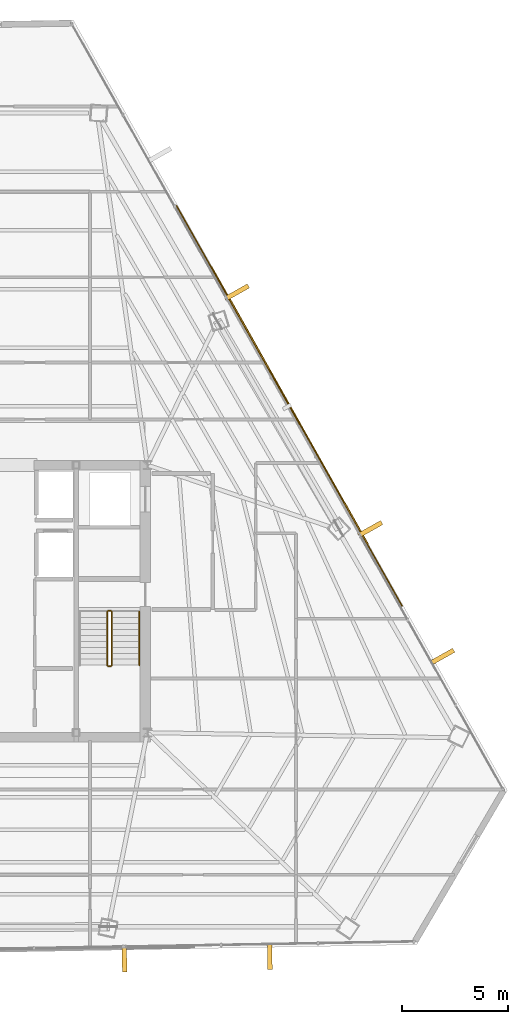
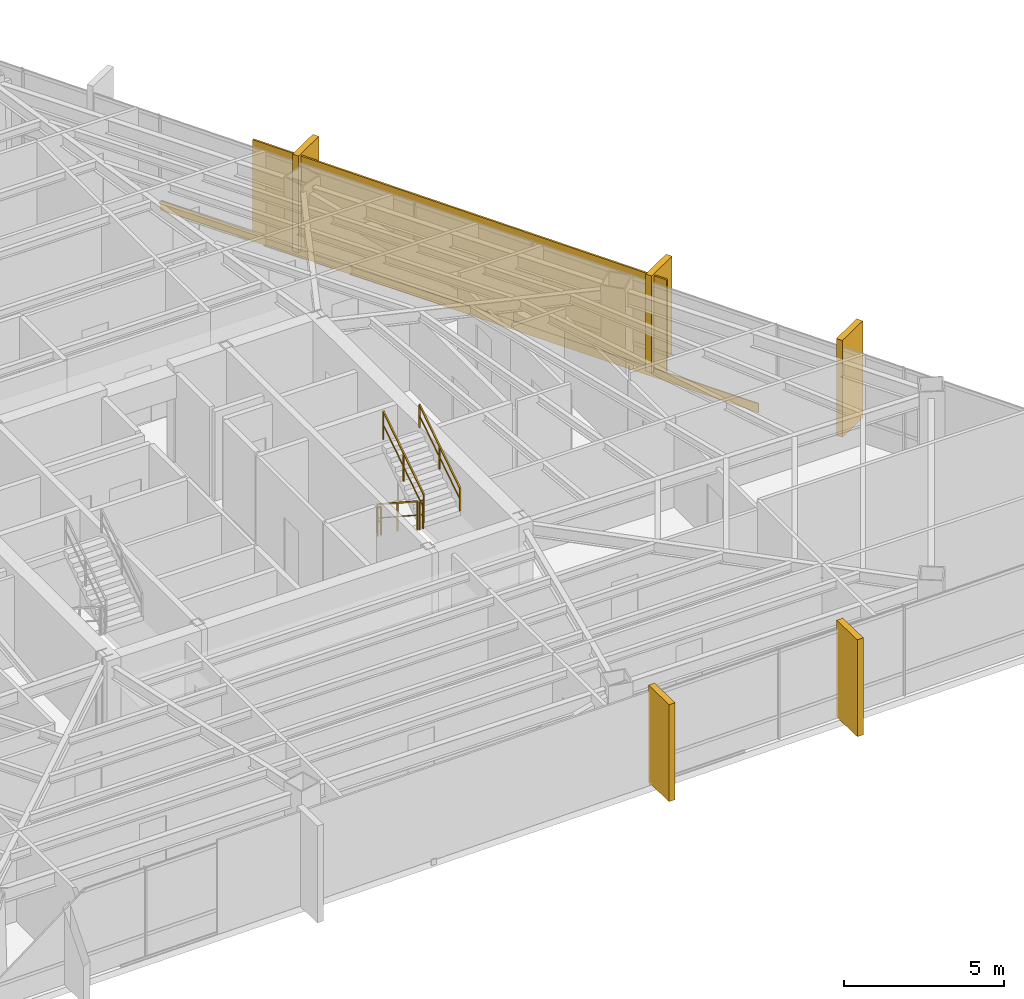
# One storey, part 43 of 44: 6 coverings, 5 railings, 1 shading device.
"""IFC4 building model written with IfcOpenShell, lengths in metres."""

from ifc_helpers import new_model, si_unit, direction, frame, origin, origin_2d, place, context, subcontext, project, spatial, rectangle, extrude, source, transform, mapped, material, layer, layer_set, type_object, type_shapes, element, save


model = new_model("IFC4")

# Units and contexts
model_context = context("Model", 3, precision=1e-05, world=origin(), true_north=direction((0.0, 1.0)))
body_context = subcontext(model_context, "Body", "Model", "MODEL_VIEW")
ifc_project = project(units=[si_unit("LENGTHUNIT", "METRE"), si_unit("AREAUNIT", "SQUARE_METRE"), si_unit("VOLUMEUNIT", "CUBIC_METRE"), si_unit("PLANEANGLEUNIT", "RADIAN"), si_unit("MASSUNIT", "GRAM", prefix="KILO")], contexts=[model_context])

# Site, building, storey
site_placement = place(None, origin())
site = spatial("IfcSite", under=ifc_project, at=site_placement, CompositionType="ELEMENT")
building_placement = place(site_placement, origin())
building = spatial("IfcBuilding", under=site, at=building_placement, Name="Caelisora Broadcast Tower", CompositionType="ELEMENT")
storey_placement = place(building_placement, frame((0.0, 0.0, 198.64990234375)))
storey = spatial("IfcBuildingStorey", under=building, at=storey_placement, Name="L52", CompositionType="ELEMENT", Elevation=198.64990234375)

# Railings
ifc_material_1 = material(Name="Galvanised Steel Safety Guardrail", Category="steel")
ifc_layer_1 = layer(ifc_material_1, 0.048095703125, Name="Galvanised Steel Safety Guardrail")
ifc_layer_set_1 = layer_set([ifc_layer_1], Name="Galvanised Steel Safety Guardrail")
railing_type_1 = type_object("IfcRailingType", Name="GR-1", PredefinedType="GUARDRAIL", material=ifc_layer_set_1)
railing_1_placement = place(storey_placement, frame((43.610107421875, 23.10009765625, 0.1826171875)))
element("IfcRailing", 1, at=railing_1_placement, inside=storey, type_object=railing_type_1, Name="L52 ST-2 stair guard 1", PredefinedType="GUARDRAIL", context=body_context, shape_type="SweptSolid", body=[
    extrude(rectangle(XDim=0.048095703125, YDim=0.048095703125, at=origin_2d()), frame((0.0, 0.0, 1.076171875), z_axis=(0.0, -0.837749427056, 0.546054848405), x_axis=(1.0, 0.0, 0.0)), (0.0, 0.0, 1.0), 3.008056640625),
    extrude(rectangle(XDim=0.03125, YDim=0.03125, at=origin_2d()), frame((0.0, 0.0, 0.550048828125), z_axis=(0.0, -0.837749427056, 0.546054848405), x_axis=(1.0, 0.0, 0.0)), (0.0, 0.0, 1.0), 3.008056640625),
    extrude(rectangle(XDim=0.0419921875, YDim=0.0419921875, at=origin_2d()), origin(), (0.0, 0.0, 1.0), 1.052001953125),
    extrude(rectangle(XDim=0.0419921875, YDim=0.0419921875, at=origin_2d()), frame((0.0, -1.260009765625, 0.8212890625)), (0.0, 0.0, 1.0), 1.052001953125),
    extrude(rectangle(XDim=0.0419921875, YDim=0.0419921875, at=origin_2d()), frame((0.0, -2.52001953125, 1.642578125)), (0.0, 0.0, 1.0), 1.052001953125),
])
railing_2_placement = place(storey_placement, frame((43.659912109375, 20.530029296875, 1.8251953125)))
element("IfcRailing", 2, at=railing_2_placement, inside=storey, type_object=railing_type_1, Name="L52 ST-2 stair guard 2", PredefinedType="GUARDRAIL", context=body_context, shape_type="SweptSolid", body=[
    extrude(rectangle(XDim=0.048095703125, YDim=0.048095703125, at=origin_2d()), frame((0.0, 0.0, 1.076171875), z_axis=(1.0, 0.0, 0.0), x_axis=(0.0, 1.0, 0.0)), (0.0, 0.0, 1.0), 0.1201171875),
    extrude(rectangle(XDim=0.03125, YDim=0.03125, at=origin_2d()), frame((0.0, 0.0, 0.550048828125), z_axis=(1.0, 0.0, 0.0), x_axis=(0.0, 1.0, 0.0)), (0.0, 0.0, 1.0), 0.1201171875),
    extrude(rectangle(XDim=0.0419921875, YDim=0.0419921875, at=origin_2d()), origin(), (0.0, 0.0, 1.0), 1.052001953125),
    extrude(rectangle(XDim=0.0419921875, YDim=0.0419921875, at=origin_2d()), frame((0.1201171875, 0.0, 0.0)), (0.0, 0.0, 1.0), 1.052001953125),
])
railing_3_placement = place(storey_placement, frame((43.830078125, 20.580078125, 2.007568359375)))
element("IfcRailing", 3, at=railing_3_placement, inside=storey, type_object=railing_type_1, Name="L52 ST-2 stair guard 3", PredefinedType="GUARDRAIL", context=body_context, shape_type="SweptSolid", body=[
    extrude(rectangle(XDim=0.048095703125, YDim=0.048095703125, at=origin_2d()), frame((0.0, 0.0, 1.076171875), z_axis=(0.0, 0.837749427056, 0.546054848405), x_axis=(-1.0, 0.0, 0.0)), (0.0, 0.0, 1.0), 3.008056640625),
    extrude(rectangle(XDim=0.03125, YDim=0.03125, at=origin_2d()), frame((0.0, 0.0, 0.550048828125), z_axis=(0.0, 0.837749427056, 0.546054848405), x_axis=(-1.0, 0.0, 0.0)), (0.0, 0.0, 1.0), 3.008056640625),
    extrude(rectangle(XDim=0.0419921875, YDim=0.0419921875, at=origin_2d()), origin(), (0.0, 0.0, 1.0), 1.052001953125),
    extrude(rectangle(XDim=0.0419921875, YDim=0.0419921875, at=origin_2d()), frame((0.0, 1.260009765625, 0.8212890625)), (0.0, 0.0, 1.0), 1.052001953125),
    extrude(rectangle(XDim=0.0419921875, YDim=0.0419921875, at=origin_2d()), frame((0.0, 2.52001953125, 1.642578125)), (0.0, 0.0, 1.0), 1.052001953125),
])
railing_4_placement = place(storey_placement, frame((43.659912109375, 23.14990234375, 0.0)))
element("IfcRailing", 4, at=railing_4_placement, inside=storey, type_object=railing_type_1, Name="L52 ST-2 stair guard 4", PredefinedType="GUARDRAIL", context=body_context, shape_type="SweptSolid", body=[
    extrude(rectangle(XDim=0.048095703125, YDim=0.048095703125, at=origin_2d()), frame((0.0, 0.0, 1.076171875), z_axis=(1.0, 0.0, 0.0), x_axis=(0.0, 1.0, 0.0)), (0.0, 0.0, 1.0), 0.1201171875),
    extrude(rectangle(XDim=0.03125, YDim=0.03125, at=origin_2d()), frame((0.0, 0.0, 0.550048828125), z_axis=(1.0, 0.0, 0.0), x_axis=(0.0, 1.0, 0.0)), (0.0, 0.0, 1.0), 0.1201171875),
    extrude(rectangle(XDim=0.0419921875, YDim=0.0419921875, at=origin_2d()), origin(), (0.0, 0.0, 1.0), 1.052001953125),
    extrude(rectangle(XDim=0.0419921875, YDim=0.0419921875, at=origin_2d()), frame((0.1201171875, 0.0, 0.0)), (0.0, 0.0, 1.0), 1.052001953125),
])
ifc_material_2 = material(Name="Stainless Steel Grade 316 Tubular Handrail", Category="steel")
ifc_layer_2 = layer(ifc_material_2, 0.048095703125, Name="Stainless Steel Grade 316 Tubular Handrail")
ifc_layer_set_2 = layer_set([ifc_layer_2], Name="Stainless Steel Grade 316 Tubular Handrail")
railing_type_2 = type_object("IfcRailingType", Name="HR-1", PredefinedType="HANDRAIL", material=ifc_layer_set_2)
railing_5_placement = place(storey_placement, frame((45.1298828125, 20.580078125, 2.007568359375)))
element("IfcRailing", 5, at=railing_5_placement, inside=storey, type_object=railing_type_2, Name="L52 ST-2 stair handrail 2", PredefinedType="HANDRAIL", context=body_context, shape_type="SweptSolid", body=[
    extrude(rectangle(XDim=0.048095703125, YDim=0.048095703125, at=origin_2d()), frame((0.0, 0.0, 0.8759765625), z_axis=(0.0, 0.837749427056, 0.546054848405), x_axis=(-1.0, 0.0, 0.0)), (0.0, 0.0, 1.0), 3.008056640625),
    extrude(rectangle(XDim=0.03125, YDim=0.03125, at=origin_2d()), frame((0.0, 0.0, 0.449951171875), z_axis=(0.0, 0.837749427056, 0.546054848405), x_axis=(-1.0, 0.0, 0.0)), (0.0, 0.0, 1.0), 3.008056640625),
    extrude(rectangle(XDim=0.0419921875, YDim=0.0419921875, at=origin_2d()), origin(), (0.0, 0.0, 1.0), 0.851806640625),
    extrude(rectangle(XDim=0.0419921875, YDim=0.0419921875, at=origin_2d()), frame((0.0, 1.260009765625, 0.8212890625)), (0.0, 0.0, 1.0), 0.851806640625),
    extrude(rectangle(XDim=0.0419921875, YDim=0.0419921875, at=origin_2d()), frame((0.0, 2.52001953125, 1.642578125)), (0.0, 0.0, 1.0), 0.851806640625),
])

# Coverings
ifc_material_3 = material(Name="Kiln-Fired Terracotta Spandrel Rainscreen Cladding", Category="ceramic")
ifc_layer_3 = layer(ifc_material_3, 0.044921875, Name="Kiln-Fired Terracotta Spandrel Rainscreen Cladding")
ifc_layer_set_3 = layer_set([ifc_layer_3], Name="Kiln-Fired Terracotta Spandrel Rainscreen Cladding")
covering_type = type_object("IfcCoveringType", Name="CL-1", PredefinedType="CLADDING", material=ifc_layer_set_3)
shared_shape_1 = source(origin(), body_context, "Body", "SweptSolid", [
    extrude(rectangle(XDim=0.219970703125, YDim=1.25, at=origin_2d()), origin(), (0.0, 0.0, 1.0), 3.68994140625),
])
for number, where, z_axis, x_axis, name in (
    (6, (49.71337890625, 38.130615234375, -0.019775390625), (0.0, 0.0, 1.0), (0.490903753615, -0.87121381112, 0.0), "L52 vertical solar fin cladding #1-2"),
    (7, (55.992919921875, 26.98828125, -0.019775390625), (0.0, 0.0, 1.0), (0.490903753615, -0.87121381112, 0.0), "L52 vertical solar fin cladding #1-3"),
    (8, (59.38134765625, 20.9755859375, -0.019775390625), (0.0, 0.0, 1.0), (0.490903753615, -0.87121381112, 0.0), "L52 vertical solar fin cladding #1-4"),
    (9, (51.264404296875, 6.88232421875, -0.019775390625), (0.0, 0.0, 1.0), (-0.999841542203, -0.017801418053, 0.0), "L52 vertical solar fin cladding #2-1"),
    (10, (44.4208984375, 6.760498046875, -0.019775390625), (0.0, 0.0, 1.0), (-0.999841542203, -0.017801418053, 0.0), "L52 vertical solar fin cladding #2-2"),
):
    element("IfcCovering", number, at=place(storey_placement, frame(where, z_axis=z_axis, x_axis=x_axis)), inside=storey, type_object=covering_type, Name=name, PredefinedType="CLADDING", context=body_context, shape_type="MappedRepresentation", body=[
        mapped(shared_shape_1, transform((0.0, 0.0, 0.0), scale=1.0)),
    ])

# Shading device
ifc_material_4 = material(Name="Perforated Glazed Terracotta Baguette Solar Screen", Category="ceramic")
ifc_layer_4 = layer(ifc_material_4, 0.06494140625, Name="Perforated Glazed Terracotta Baguette Solar Screen")
ifc_layer_set_4 = layer_set([ifc_layer_4], Name="Perforated Glazed Terracotta Baguette Solar Screen")
shading_device_type = type_object("IfcShadingDeviceType", Name="SS-1", PredefinedType="USERDEFINED", material=ifc_layer_set_4)
shared_shape_2 = source(origin(), body_context, "Body", "SweptSolid", [
    extrude(rectangle(XDim=14.989013671875, YDim=0.06494140625, at=origin_2d()), origin(), (0.0, 0.0, 1.0), 3.590087890625),
])
type_shapes(shading_device_type, [shared_shape_2])
shading_device_placement = place(storey_placement, frame((52.19970703125, 32.802490234375, 0.0), z_axis=(0.0, 0.0, 1.0), x_axis=(-0.490903753615, 0.87121381112, 0.0)))
element("IfcShadingDevice", 11, at=shading_device_placement, inside=storey, type_object=shading_device_type, Name="L52 perforated terracotta solar screen #3", ObjectType="SOLAR SCREEN", PredefinedType="USERDEFINED", context=body_context, shape_type="MappedRepresentation", body=[
    mapped(shared_shape_2, transform((0.0, 0.0, 0.0), scale=1.0)),
])

# Covering
shared_shape_3 = source(origin(), body_context, "Body", "SweptSolid", [
    extrude(rectangle(XDim=21.64990234375, YDim=0.044921875, at=origin_2d()), origin(), (0.0, 0.0, 1.0), 0.340087890625),
])
type_shapes(covering_type, [shared_shape_1, shared_shape_3])
covering_placement = place(storey_placement, frame((52.18212890625, 32.79248046875, -0.27001953125), z_axis=(0.0, 0.0, 1.0), x_axis=(-0.490903753615, 0.87121381112, 0.0)))
element("IfcCovering", 12, at=covering_placement, inside=storey, type_object=covering_type, Name="L52 terracotta spandrel rainscreen #3", PredefinedType="CLADDING", context=body_context, shape_type="MappedRepresentation", body=[
    mapped(shared_shape_3, transform((0.0, 0.0, 0.0), scale=1.0)),
])

save(model, "model.ifc")
